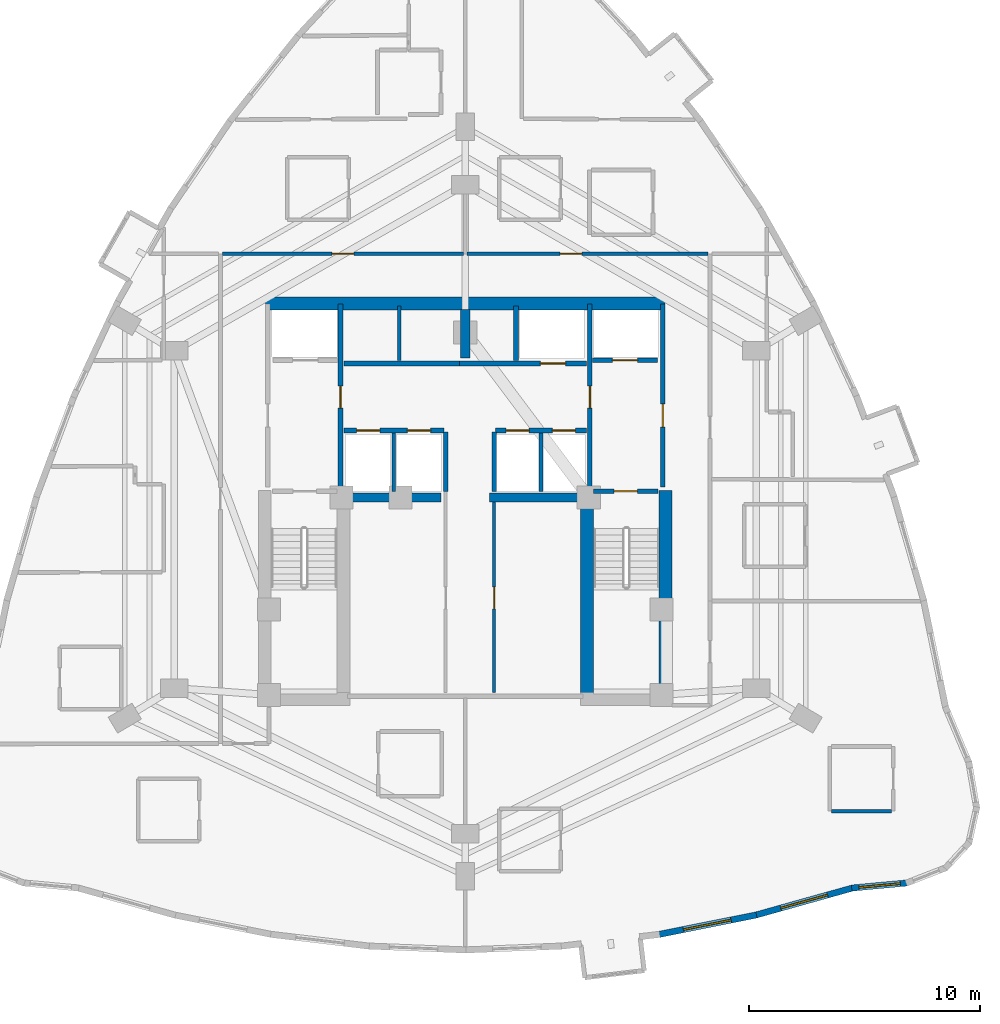
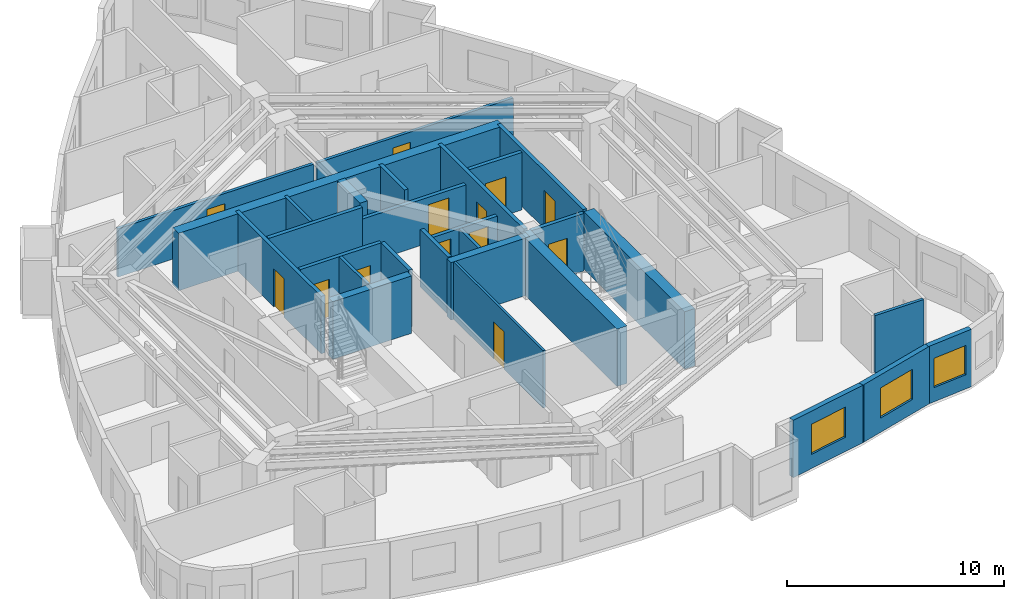
# One storey, part 8 of 12: 28 walls, 13 doors, 3 windows, 16 openings.
"""IFC4 building model written with IfcOpenShell, lengths in metres."""

from ifc_helpers import new_model, si_unit, direction, frame, frame_2d, origin, place, context, subcontext, project, spatial, rectangle, extrude, material, layer, layer_set, type_object, element, fill, save


model = new_model("IFC4")

# Units and contexts
model_context = context("Model", 3, precision=1e-05, world=origin(), true_north=direction((0.0, 1.0)))
body_context = subcontext(model_context, "Body", "Model", "MODEL_VIEW")
ifc_project = project(units=[si_unit("LENGTHUNIT", "METRE"), si_unit("AREAUNIT", "SQUARE_METRE"), si_unit("VOLUMEUNIT", "CUBIC_METRE"), si_unit("PLANEANGLEUNIT", "RADIAN"), si_unit("MASSUNIT", "GRAM", prefix="KILO")], contexts=[model_context])

# Site, building, storey
site_placement = place(None, origin())
site = spatial("IfcSite", under=ifc_project, at=site_placement, CompositionType="ELEMENT")
building_placement = place(site_placement, origin())
building = spatial("IfcBuilding", under=site, at=building_placement, Name="Miruveldt Soraemaru", CompositionType="ELEMENT")
storey_placement = place(building_placement, frame((0.0, 0.0, 110.89990234375)))
storey = spatial("IfcBuildingStorey", under=building, at=storey_placement, Name="L30", CompositionType="ELEMENT", Elevation=110.89990234375)

# Walls
ifc_material_1 = material(Name="Concrete C70/85 (70 MPa)", Category="concrete")
ifc_layer_1 = layer(ifc_material_1, 0.5, Name="Concrete C70/85 (70 MPa)", Category="concrete")
ifc_layer_set_1 = layer_set([ifc_layer_1], Name="Concrete C70/85 (70 MPa)")
wall_type_1 = type_object("IfcWallType", Name="WALL-BW-500", PredefinedType="SHEAR", material=ifc_layer_set_1)
wall_1_placement = place(storey_placement, frame((44.0, 50.10009765625, 0.0), z_axis=(0.0, 0.0, 1.0), x_axis=(0.0, 1.0, 0.0)))
element("IfcWall", 1, at=wall_1_placement, inside=storey, type_object=wall_type_1, Name="L30 Core Buttress Shear Wall BN", PredefinedType="SHEAR", context=body_context, shape_type="SweptSolid", body=[
    extrude(rectangle(XDim=2.099853515625, YDim=0.39990234375, at=frame_2d((1.0498046875, 0.0))), origin(), (0.0, 0.0, 1.0), 3.235107421875),
])
for number, where, z_axis, x_axis, name in (
    (2, (38.75, 44.050048828125, 0.0), (0.0, 0.0, 1.0), (1.0, 0.0, 0.0), "L30 Core Buttress Shear Wall BW"),
    (3, (45.050048828125, 44.050048828125, 0.0), (0.0, 0.0, 1.0), (1.0, 0.0, 0.0), "L30 Core Buttress Shear Wall BE"),
):
    element("IfcWall", number, at=place(storey_placement, frame(where, z_axis=z_axis, x_axis=x_axis)), inside=storey, type_object=wall_type_1, Name=name, PredefinedType="SHEAR", context=body_context, shape_type="SweptSolid", body=[
        extrude(rectangle(XDim=4.199951171875, YDim=0.39990234375, at=frame_2d((2.10009765625, 0.0))), origin(), (0.0, 0.0, 1.0), 3.235107421875),
    ])
ifc_layer_2 = layer(ifc_material_1, 0.550048828125, Name="Concrete C70/85 (70 MPa)", Category="concrete")
ifc_layer_set_2 = layer_set([ifc_layer_2], Name="Concrete C70/85 (70 MPa)")
wall_type_2 = type_object("IfcWallType", Name="WALL-CW-550", PredefinedType="SHEAR", material=ifc_layer_set_2)
wall_2_placement = place(storey_placement, frame((35.35009765625, 52.449951171875, 0.0), z_axis=(0.0, 0.0, 1.0), x_axis=(1.0, 0.0, 0.0)))
element("IfcWall", 4, at=wall_2_placement, inside=storey, type_object=wall_type_2, Name="L30 Central Core Shear Wall N", PredefinedType="SHEAR", context=body_context, shape_type="SweptSolid", body=[
    extrude(rectangle(XDim=17.2998046875, YDim=0.550048828125, at=frame_2d((8.64990234375, 0.0))), origin(), (0.0, 0.0, 1.0), 3.235107421875),
])
wall_3_placement = place(storey_placement, frame((52.675048828125, 35.050048828125, 0.0), z_axis=(0.0, 0.0, 1.0), x_axis=(0.0, 1.0, 0.0)))
element("IfcWall", 5, at=wall_3_placement, inside=storey, type_object=wall_type_2, Name="L30 Central Core Shear Wall E1", PredefinedType="SHEAR", context=body_context, shape_type="SweptSolid", body=[
    extrude(rectangle(XDim=9.300048828125, YDim=0.550048828125, at=frame_2d((4.64990234375, 0.0))), origin(), (0.0, 0.0, 1.0), 3.235107421875),
])
wall_4_placement = place(storey_placement, frame((49.27490234375, 35.39990234375, 0.0), z_axis=(0.0, 0.0, 1.0), x_axis=(0.0, 1.0, 0.0)))
element("IfcWall", 6, at=wall_4_placement, inside=storey, type_object=wall_type_2, Name="L30 Central Core Shear Wall SE-INT", PredefinedType="SHEAR", context=body_context, shape_type="SweptSolid", body=[
    extrude(rectangle(XDim=8.9501953125, YDim=0.550048828125, at=frame_2d((4.47509765625, 0.0))), origin(), (0.0, 0.0, 1.0), 3.235107421875),
])

# Wall, opening, window
ifc_material_2 = material(Name="Precast concrete C45/55 (45 MPa)", Category="concrete")
ifc_layer_3 = layer(ifc_material_2, 0.27001953125, Name="Precast concrete C45/55 (45 MPa)", Category="concrete")
ifc_layer_set_3 = layer_set([ifc_layer_3], Name="Precast concrete C45/55 (45 MPa)")
wall_type_3 = type_object("IfcWallType", Name="WALL-EXT-PC270", PredefinedType="SOLIDWALL", material=ifc_layer_set_3)
wall_5_placement = place(storey_placement, frame((52.3505859375, 25.12060546875, 0.0), z_axis=(0.0, 0.0, 1.0), x_axis=(0.98057635362, 0.196137744255, 0.0)))
wall_5 = element("IfcWall", 7, at=wall_5_placement, inside=storey, type_object=wall_type_3, Name="L30 Precast Concrete Facade Wall 27", PredefinedType="SOLIDWALL", context=body_context, shape_type="SweptSolid", body=[
    extrude(rectangle(XDim=4.345458984375, YDim=0.27001953125, at=frame_2d((2.1728515625, 0.0))), origin(), (0.0, 0.0, 1.0), 3.235107421875),
])
opening_1_placement = place(wall_5_placement, frame((1.1220703125, 0.0, 0.800048828125)))
opening_1 = element("IfcOpeningElement", 8, at=opening_1_placement, cuts=wall_5, Name="Opening WN-1", PredefinedType="OPENING", context=body_context, shape_type="SweptSolid", body=[
    extrude(rectangle(XDim=2.10009765625, YDim=1.699951171875, at=frame_2d((1.050048828125, 0.85009765625))), frame((0.0, 0.14501953125, 0.0), z_axis=(0.0, -1.0, 0.0), x_axis=(1.0, 0.0, 0.0)), (0.0, 0.0, 1.0), 0.2900390625),
])
ifc_material_3 = material(Name="Triple low-e insulated glazing", Category="glass")
window_type_1 = type_object("IfcWindowType", Name="WIN-PUNCH-2100x1700", PartitioningType="SINGLE_PANEL", PredefinedType="WINDOW", material=ifc_material_3)
window_1_placement = place(opening_1_placement, origin())
window_1 = element("IfcWindow", 9, at=window_1_placement, inside=storey, type_object=window_type_1, Name="L30 Punched Triple-Glazed Window 27.1", OverallHeight=1.699951171875, OverallWidth=2.10009765625, PartitioningType="SINGLE_PANEL", PredefinedType="WINDOW", context=body_context, shape_type="SweptSolid", body=[
    extrude(rectangle(XDim=2.10009765625, YDim=1.699951171875, at=frame_2d((1.050048828125, 0.85009765625))), frame((0.0, 0.030029296875, 0.0), z_axis=(0.0, -1.0, 0.0), x_axis=(1.0, 0.0, 0.0)), (0.0, 0.0, 1.0), 0.06005859375),
])
fill(opening_1, window_1)

wall_6_placement = place(storey_placement, frame((56.54345703125, 25.956787109375, 0.0), z_axis=(0.0, 0.0, 1.0), x_axis=(0.962970324639, 0.269607406916, 0.0)))
wall_6 = element("IfcWall", 10, at=wall_6_placement, inside=storey, type_object=wall_type_3, Name="L30 Precast Concrete Facade Wall 28", PredefinedType="SOLIDWALL", context=body_context, shape_type="SweptSolid", body=[
    extrude(rectangle(XDim=4.423583984375, YDim=0.27001953125, at=frame_2d((2.2119140625, 0.0))), origin(), (0.0, 0.0, 1.0), 3.235107421875),
])
opening_2_placement = place(wall_6_placement, frame((1.162109375, 0.0, 0.800048828125)))
opening_2 = element("IfcOpeningElement", 11, at=opening_2_placement, cuts=wall_6, Name="Opening WN-1", PredefinedType="OPENING", context=body_context, shape_type="SweptSolid", body=[
    extrude(rectangle(XDim=2.10009765625, YDim=1.699951171875, at=frame_2d((1.050048828125, 0.85009765625))), frame((0.0, 0.14501953125, 0.0), z_axis=(0.0, -1.0, 0.0), x_axis=(1.0, 0.0, 0.0)), (0.0, 0.0, 1.0), 0.2900390625),
])
window_2_placement = place(opening_2_placement, origin())
window_2 = element("IfcWindow", 12, at=window_2_placement, inside=storey, type_object=window_type_1, Name="L30 Punched Triple-Glazed Window 28.1", OverallHeight=1.699951171875, OverallWidth=2.10009765625, PartitioningType="SINGLE_PANEL", PredefinedType="WINDOW", context=body_context, shape_type="SweptSolid", body=[
    extrude(rectangle(XDim=2.10009765625, YDim=1.699951171875, at=frame_2d((1.050048828125, 0.85009765625))), frame((0.0, 0.030029296875, 0.0), z_axis=(0.0, -1.0, 0.0), x_axis=(1.0, 0.0, 0.0)), (0.0, 0.0, 1.0), 0.06005859375),
])
fill(opening_2, window_2)

wall_7_placement = place(storey_placement, frame((60.734619140625, 27.13671875, 0.0), z_axis=(0.0, 0.0, 1.0), x_axis=(0.995757206461, 0.092019485874, 0.0)))
wall_7 = element("IfcWall", 13, at=wall_7_placement, inside=storey, type_object=wall_type_3, Name="L30 Precast Concrete Facade Wall 29", PredefinedType="SOLIDWALL", context=body_context, shape_type="SweptSolid", body=[
    extrude(rectangle(XDim=2.432861328125, YDim=0.27001953125, at=frame_2d((1.21630859375, 0.0))), origin(), (0.0, 0.0, 1.0), 3.235107421875),
])
opening_3_placement = place(wall_7_placement, frame((0.31689453125, 0.0, 0.800048828125)))
opening_3 = element("IfcOpeningElement", 14, at=opening_3_placement, cuts=wall_7, Name="Opening WN-2", PredefinedType="OPENING", context=body_context, shape_type="SweptSolid", body=[
    extrude(rectangle(XDim=1.800048828125, YDim=1.64990234375, at=frame_2d((0.89990234375, 0.824951171875))), frame((0.0, 0.14501953125, 0.0), z_axis=(0.0, -1.0, 0.0), x_axis=(1.0, 0.0, 0.0)), (0.0, 0.0, 1.0), 0.2900390625),
])
window_type_2 = type_object("IfcWindowType", Name="WIN-PUNCH-1800x1650", PartitioningType="SINGLE_PANEL", PredefinedType="WINDOW", material=ifc_material_3)
window_3_placement = place(opening_3_placement, origin())
window_3 = element("IfcWindow", 15, at=window_3_placement, inside=storey, type_object=window_type_2, Name="L30 Punched Triple-Glazed Window 29.1", OverallHeight=1.64990234375, OverallWidth=1.800048828125, PartitioningType="SINGLE_PANEL", PredefinedType="WINDOW", context=body_context, shape_type="SweptSolid", body=[
    extrude(rectangle(XDim=1.800048828125, YDim=1.64990234375, at=frame_2d((0.89990234375, 0.824951171875))), frame((0.0, 0.030029296875, 0.0), z_axis=(0.0, -1.0, 0.0), x_axis=(1.0, 0.0, 0.0)), (0.0, 0.0, 1.0), 0.06005859375),
])
fill(opening_3, window_3)

# Wall, opening, door
ifc_material_4 = material(Name="Gypsum plasterboard lining", Category="gypsum")
ifc_layer_4 = layer(ifc_material_4, 0.1201171875, Name="Gypsum plasterboard lining", Category="gypsum")
ifc_layer_set_4 = layer_set([ifc_layer_4], Name="Gypsum plasterboard lining")
wall_type_4 = type_object("IfcWallType", Name="WALL-INT-P120", PredefinedType="PARTITIONING", material=ifc_layer_set_4)
wall_8_placement = place(storey_placement, frame((45.25, 35.60009765625, 0.0), z_axis=(0.0, 0.0, 1.0), x_axis=(0.0, 1.0, 0.0)))
wall_8 = element("IfcWall", 16, at=wall_8_placement, inside=storey, type_object=wall_type_4, Name="L30 Core Compartment Wall SP-EL", PredefinedType="PARTITIONING", context=body_context, shape_type="SweptSolid", body=[
    extrude(rectangle(XDim=8.25, YDim=0.1201171875, at=frame_2d((4.125, 0.0))), origin(), (0.0, 0.0, 1.0), 3.235107421875),
])
opening_4_placement = place(wall_8_placement, frame((3.625, 0.0, 0.0)))
opening_4 = element("IfcOpeningElement", 17, at=opening_4_placement, cuts=wall_8, Name="Opening D2", PredefinedType="OPENING", context=body_context, shape_type="SweptSolid", body=[
    extrude(rectangle(XDim=0.949951171875, YDim=2.10009765625, at=frame_2d((0.47509765625, 1.050048828125))), frame((0.0, 0.070068359375, 0.0), z_axis=(0.0, -1.0, 0.0), x_axis=(1.0, 0.0, 0.0)), (0.0, 0.0, 1.0), 0.14013671875),
])
ifc_material_5 = material(Name="Anodised aluminium EN AW-6063 T6", Category="aluminium")
door_type_1 = type_object("IfcDoorType", Name="DOOR-INT-950", OperationType="NOTDEFINED", PredefinedType="DOOR", material=ifc_material_5)
door_1_placement = place(opening_4_placement, origin())
door_1 = element("IfcDoor", 18, at=door_1_placement, inside=storey, type_object=door_type_1, Name="L30 Fire Door", OperationType="SINGLE_SWING_LEFT", OverallHeight=2.10009765625, OverallWidth=0.949951171875, PredefinedType="DOOR", context=body_context, shape_type="SweptSolid", body=[
    extrude(rectangle(XDim=0.949951171875, YDim=2.10009765625, at=frame_2d((0.47509765625, 1.050048828125))), frame((0.0, 0.02490234375, 0.0), z_axis=(0.0, -1.0, 0.0), x_axis=(1.0, 0.0, 0.0)), (0.0, 0.0, 1.0), 0.050048828125),
])
fill(opening_4, door_1)

ifc_material_6 = material(Name="Concrete C40/50 (40 MPa)", Category="concrete")
ifc_layer_5 = layer(ifc_material_6, 0.159912109375, Name="Concrete C40/50 (40 MPa)", Category="concrete")
ifc_layer_set_5 = layer_set([ifc_layer_5], Name="Concrete C40/50 (40 MPa)")
wall_type_5 = type_object("IfcWallType", Name="WALL-INT-RC160", PredefinedType="SOLIDWALL", material=ifc_layer_set_5)
wall_9_placement = place(storey_placement, frame((43.919921875, 54.60009765625, 0.0), z_axis=(0.0, 0.0, 1.0), x_axis=(-1.0, 0.0, 0.0)))
wall_9 = element("IfcWall", 19, at=wall_9_placement, inside=storey, type_object=wall_type_5, Name="L30 Partition Wall 1", PredefinedType="SOLIDWALL", context=body_context, shape_type="SweptSolid", body=[
    extrude(rectangle(XDim=10.43994140625, YDim=0.159912109375, at=frame_2d((5.219970703125, 0.0))), origin(), (0.0, 0.0, 1.0), 2.72314453125),
])
opening_5_placement = place(wall_9_placement, frame((4.7451171875, 0.0, 0.0)))
opening_5 = element("IfcOpeningElement", 20, at=opening_5_placement, cuts=wall_9, Name="Opening FD2", PredefinedType="OPENING", context=body_context, shape_type="SweptSolid", body=[
    extrude(rectangle(XDim=0.949951171875, YDim=2.14990234375, at=frame_2d((0.47509765625, 1.074951171875))), frame((0.0, 0.08984375, 0.0), z_axis=(0.0, -1.0, 0.0), x_axis=(1.0, 0.0, 0.0)), (0.0, 0.0, 1.0), 0.179931640625),
])
door_type_2 = type_object("IfcDoorType", Name="DOOR-FD2-950", OperationType="NOTDEFINED", PredefinedType="DOOR", material=ifc_material_5)
door_2_placement = place(opening_5_placement, origin())
door_2 = element("IfcDoor", 21, at=door_2_placement, inside=storey, type_object=door_type_2, Name="L30 Unit 3001 Entrance Fire Door", OperationType="SINGLE_SWING_LEFT", OverallHeight=2.14990234375, OverallWidth=0.949951171875, PredefinedType="DOOR", context=body_context, shape_type="SweptSolid", body=[
    extrude(rectangle(XDim=0.949951171875, YDim=2.14990234375, at=frame_2d((0.47509765625, 1.074951171875))), frame((0.0, 0.02490234375, 0.0), z_axis=(0.0, -1.0, 0.0), x_axis=(1.0, 0.0, 0.0)), (0.0, 0.0, 1.0), 0.050048828125),
])
fill(opening_5, door_2)

wall_10_placement = place(storey_placement, frame((54.52001953125, 54.60009765625, 0.0), z_axis=(0.0, 0.0, 1.0), x_axis=(-1.0, 0.0, 0.0)))
wall_10 = element("IfcWall", 22, at=wall_10_placement, inside=storey, type_object=wall_type_5, Name="L30 Partition Wall 2", PredefinedType="SOLIDWALL", context=body_context, shape_type="SweptSolid", body=[
    extrude(rectangle(XDim=10.43994140625, YDim=0.159912109375, at=frame_2d((5.219970703125, 0.0))), origin(), (0.0, 0.0, 1.0), 2.72314453125),
])
opening_6_placement = place(wall_10_placement, frame((5.465087890625, 0.0, 0.0)))
opening_6 = element("IfcOpeningElement", 23, at=opening_6_placement, cuts=wall_10, Name="Opening FD2", PredefinedType="OPENING", context=body_context, shape_type="SweptSolid", body=[
    extrude(rectangle(XDim=0.949951171875, YDim=2.14990234375, at=frame_2d((0.47509765625, 1.074951171875))), frame((0.0, 0.08984375, 0.0), z_axis=(0.0, -1.0, 0.0), x_axis=(1.0, 0.0, 0.0)), (0.0, 0.0, 1.0), 0.179931640625),
])
door_3_placement = place(opening_6_placement, origin())
door_3 = element("IfcDoor", 24, at=door_3_placement, inside=storey, type_object=door_type_2, Name="L30 Unit 3002 Entrance Fire Door", OperationType="SINGLE_SWING_RIGHT", OverallHeight=2.14990234375, OverallWidth=0.949951171875, PredefinedType="DOOR", context=body_context, shape_type="SweptSolid", body=[
    extrude(rectangle(XDim=0.949951171875, YDim=2.14990234375, at=frame_2d((0.47509765625, 1.074951171875))), frame((0.0, 0.02490234375, 0.0), z_axis=(0.0, -1.0, 0.0), x_axis=(1.0, 0.0, 0.0)), (0.0, 0.0, 1.0), 0.050048828125),
])
fill(opening_6, door_3)

# Walls
wall_11_placement = place(storey_placement, frame((59.860107421875, 30.468994140625, 0.0), z_axis=(0.0, 0.0, 1.0), x_axis=(1.0, 0.0, 0.0)))
element("IfcWall", 25, at=wall_11_placement, inside=storey, type_object=wall_type_5, Name="L30 Partition Wall 56", PredefinedType="SOLIDWALL", context=body_context, shape_type="SweptSolid", body=[
    extrude(rectangle(XDim=2.58984375, YDim=0.159912109375, at=frame_2d((1.294921875, 0.0))), origin(), (0.0, 0.0, 1.0), 3.235107421875),
])
wall_12_placement = place(storey_placement, frame((40.89990234375, 44.300048828125, 0.0), z_axis=(0.0, 0.0, 1.0), x_axis=(0.0, 1.0, 0.0)))
element("IfcWall", 26, at=wall_12_placement, inside=storey, type_object=wall_type_5, Name="L30 Core Compartment Wall PLM-DW", PredefinedType="SOLIDWALL", context=body_context, shape_type="SweptSolid", body=[
    extrude(rectangle(XDim=2.550048828125, YDim=0.159912109375, at=frame_2d((1.27490234375, 0.0))), origin(), (0.0, 0.0, 1.0), 3.235107421875),
])
wall_13_placement = place(storey_placement, frame((47.280029296875, 44.300048828125, 0.0), z_axis=(0.0, 0.0, 1.0), x_axis=(0.0, 1.0, 0.0)))
element("IfcWall", 27, at=wall_13_placement, inside=storey, type_object=wall_type_5, Name="L30 Core Compartment Wall PLM-DE", PredefinedType="SOLIDWALL", context=body_context, shape_type="SweptSolid", body=[
    extrude(rectangle(XDim=2.550048828125, YDim=0.159912109375, at=frame_2d((1.27490234375, 0.0))), origin(), (0.0, 0.0, 1.0), 2.572998046875),
])
wall_14_placement = place(storey_placement, frame((41.14990234375, 49.97998046875, 0.0), z_axis=(0.0, 0.0, 1.0), x_axis=(0.0, 1.0, 0.0)))
element("IfcWall", 28, at=wall_14_placement, inside=storey, type_object=wall_type_5, Name="L30 Core Compartment Wall PLH-DIV1", PredefinedType="SOLIDWALL", context=body_context, shape_type="SweptSolid", body=[
    extrude(rectangle(XDim=2.3701171875, YDim=0.159912109375, at=frame_2d((1.18505859375, 0.0))), origin(), (0.0, 0.0, 1.0), 3.235107421875),
])

# Wall, opening, door
ifc_layer_6 = layer(ifc_material_6, 0.199951171875, Name="Concrete C40/50 (40 MPa)", Category="concrete")
ifc_layer_set_6 = layer_set([ifc_layer_6], Name="Concrete C40/50 (40 MPa)")
wall_type_6 = type_object("IfcWallType", Name="WALL-INT-RC200", PredefinedType="SOLIDWALL", material=ifc_layer_set_6)
wall_15_placement = place(storey_placement, frame((52.550048828125, 44.5, 0.0), z_axis=(0.0, 0.0, 1.0), x_axis=(0.0, 1.0, 0.0)))
wall_15 = element("IfcWall", 29, at=wall_15_placement, inside=storey, type_object=wall_type_6, Name="L30 Core Compartment Wall FFE-OUT", PredefinedType="SOLIDWALL", context=body_context, shape_type="SweptSolid", body=[
    extrude(rectangle(XDim=7.919921875, YDim=0.199951171875, at=frame_2d((3.9599609375, 0.0))), origin(), (0.0, 0.0, 1.0), 3.235107421875),
])
opening_7_placement = place(wall_15_placement, frame((2.60009765625, 0.0, 0.0)))
opening_7 = element("IfcOpeningElement", 30, at=opening_7_placement, cuts=wall_15, Name="Opening FD1", PredefinedType="OPENING", context=body_context, shape_type="SweptSolid", body=[
    extrude(rectangle(XDim=1.0, YDim=2.14990234375, at=frame_2d((0.5, 1.074951171875))), frame((0.0, 0.10986328125, 0.0), z_axis=(0.0, -1.0, 0.0), x_axis=(1.0, 0.0, 0.0)), (0.0, 0.0, 1.0), 0.219970703125),
])
door_type_3 = type_object("IfcDoorType", Name="DOOR-FD1-1000", OperationType="NOTDEFINED", PredefinedType="DOOR", material=ifc_material_5)
door_4_placement = place(opening_7_placement, frame((1.0, 0.0, 0.0), z_axis=(0.0, 0.0, 1.0), x_axis=(-1.0, 0.0, 0.0)))
door_4 = element("IfcDoor", 31, at=door_4_placement, inside=storey, type_object=door_type_3, Name="L30 East Firefighting Lobby Exit Door", OperationType="SINGLE_SWING_RIGHT", OverallHeight=2.14990234375, OverallWidth=1.0, PredefinedType="DOOR", context=body_context, shape_type="SweptSolid", body=[
    extrude(rectangle(XDim=1.0, YDim=2.14990234375, at=frame_2d((0.5, 1.074951171875))), frame((0.0, 0.02490234375, 0.0), z_axis=(0.0, -1.0, 0.0), x_axis=(1.0, 0.0, 0.0)), (0.0, 0.0, 1.0), 0.050048828125),
])
fill(opening_7, door_4)

wall_16_placement = place(storey_placement, frame((38.60009765625, 44.5, 0.0), z_axis=(0.0, 0.0, 1.0), x_axis=(0.0, 1.0, 0.0)))
wall_16 = element("IfcWall", 32, at=wall_16_placement, inside=storey, type_object=wall_type_6, Name="L30 Core Compartment Wall FFW-IN", PredefinedType="SOLIDWALL", context=body_context, shape_type="SweptSolid", body=[
    extrude(rectangle(XDim=7.919921875, YDim=0.199951171875, at=frame_2d((3.9599609375, 0.0))), origin(), (0.0, 0.0, 1.0), 3.235107421875),
])
opening_8_placement = place(wall_16_placement, frame((3.425048828125, 0.0, 0.0)))
opening_8 = element("IfcOpeningElement", 33, at=opening_8_placement, cuts=wall_16, Name="Opening FD2", PredefinedType="OPENING", context=body_context, shape_type="SweptSolid", body=[
    extrude(rectangle(XDim=0.949951171875, YDim=2.14990234375, at=frame_2d((0.47509765625, 1.074951171875))), frame((0.0, 0.10986328125, 0.0), z_axis=(0.0, -1.0, 0.0), x_axis=(1.0, 0.0, 0.0)), (0.0, 0.0, 1.0), 0.219970703125),
])
door_5_placement = place(opening_8_placement, frame((0.949951171875, 0.0, 0.0), z_axis=(0.0, 0.0, 1.0), x_axis=(-1.0, 0.0, 0.0)))
door_5 = element("IfcDoor", 34, at=door_5_placement, inside=storey, type_object=door_type_2, Name="L30 Lift Lobby to West Fire Lobby Door", OperationType="SINGLE_SWING_RIGHT", OverallHeight=2.14990234375, OverallWidth=0.949951171875, PredefinedType="DOOR", context=body_context, shape_type="SweptSolid", body=[
    extrude(rectangle(XDim=0.949951171875, YDim=2.14990234375, at=frame_2d((0.47509765625, 1.074951171875))), frame((0.0, 0.02490234375, 0.0), z_axis=(0.0, -1.0, 0.0), x_axis=(1.0, 0.0, 0.0)), (0.0, 0.0, 1.0), 0.050048828125),
])
fill(opening_8, door_5)

wall_17_placement = place(storey_placement, frame((49.39990234375, 44.5, 0.0), z_axis=(0.0, 0.0, 1.0), x_axis=(0.0, 1.0, 0.0)))
wall_17 = element("IfcWall", 35, at=wall_17_placement, inside=storey, type_object=wall_type_6, Name="L30 Core Compartment Wall FFE-IN", PredefinedType="SOLIDWALL", context=body_context, shape_type="SweptSolid", body=[
    extrude(rectangle(XDim=7.919921875, YDim=0.199951171875, at=frame_2d((3.9599609375, 0.0))), origin(), (0.0, 0.0, 1.0), 3.235107421875),
])
opening_9_placement = place(wall_17_placement, frame((3.425048828125, 0.0, 0.0)))
opening_9 = element("IfcOpeningElement", 36, at=opening_9_placement, cuts=wall_17, Name="Opening FD2", PredefinedType="OPENING", context=body_context, shape_type="SweptSolid", body=[
    extrude(rectangle(XDim=0.949951171875, YDim=2.14990234375, at=frame_2d((0.47509765625, 1.074951171875))), frame((0.0, 0.10986328125, 0.0), z_axis=(0.0, -1.0, 0.0), x_axis=(1.0, 0.0, 0.0)), (0.0, 0.0, 1.0), 0.219970703125),
])
door_6_placement = place(opening_9_placement, origin())
door_6 = element("IfcDoor", 37, at=door_6_placement, inside=storey, type_object=door_type_2, Name="L30 Lift Lobby to East Fire Lobby Door", OperationType="SINGLE_SWING_LEFT", OverallHeight=2.14990234375, OverallWidth=0.949951171875, PredefinedType="DOOR", context=body_context, shape_type="SweptSolid", body=[
    extrude(rectangle(XDim=0.949951171875, YDim=2.14990234375, at=frame_2d((0.47509765625, 1.074951171875))), frame((0.0, 0.02490234375, 0.0), z_axis=(0.0, -1.0, 0.0), x_axis=(1.0, 0.0, 0.0)), (0.0, 0.0, 1.0), 0.050048828125),
])
fill(opening_9, door_6)

wall_18_placement = place(storey_placement, frame((43.75, 49.85009765625, 0.0), z_axis=(0.0, 0.0, 1.0), x_axis=(1.0, 0.0, 0.0)))
wall_18 = element("IfcWall", 38, at=wall_18_placement, inside=storey, type_object=wall_type_6, Name="L30 Core Compartment Wall ROWA-SE", PredefinedType="SOLIDWALL", context=body_context, shape_type="SweptSolid", body=[
    extrude(rectangle(XDim=5.5, YDim=0.199951171875, at=frame_2d((2.75, 0.0))), origin(), (0.0, 0.0, 1.0), 2.572998046875),
])
opening_10_placement = place(wall_18_placement, frame((3.5, 0.0, 0.0)))
opening_10 = element("IfcOpeningElement", 39, at=opening_10_placement, cuts=wall_18, Name="Opening LD2", PredefinedType="OPENING", context=body_context, shape_type="SweptSolid", body=[
    extrude(rectangle(XDim=1.10009765625, YDim=2.14990234375, at=frame_2d((0.550048828125, 1.074951171875))), frame((0.0, 0.10986328125, 0.0), z_axis=(0.0, -1.0, 0.0), x_axis=(1.0, 0.0, 0.0)), (0.0, 0.0, 1.0), 0.219970703125),
])
door_type_4 = type_object("IfcDoorType", Name="DOOR-LD2-1100", OperationType="SLIDING_TO_LEFT", PredefinedType="DOOR", material=ifc_material_5)
door_7_placement = place(opening_10_placement, origin())
door_7 = element("IfcDoor", 40, at=door_7_placement, inside=storey, type_object=door_type_4, Name="L30 SL-1 Landing Door", OperationType="SLIDING_TO_LEFT", OverallHeight=2.14990234375, OverallWidth=1.10009765625, PredefinedType="DOOR", context=body_context, shape_type="SweptSolid", body=[
    extrude(rectangle(XDim=1.10009765625, YDim=2.14990234375, at=frame_2d((0.550048828125, 1.074951171875))), frame((0.0, 0.02490234375, 0.0), z_axis=(0.0, -1.0, 0.0), x_axis=(1.0, 0.0, 0.0)), (0.0, 0.0, 1.0), 0.050048828125),
])
fill(opening_10, door_7)

# Wall, openings, doors
wall_19_placement = place(storey_placement, frame((38.75, 46.949951171875, 0.0), z_axis=(0.0, 0.0, 1.0), x_axis=(1.0, 0.0, 0.0)))
wall_19 = element("IfcWall", 41, at=wall_19_placement, inside=storey, type_object=wall_type_6, Name="L30 Core Compartment Wall MBW-N", PredefinedType="SOLIDWALL", context=body_context, shape_type="SweptSolid", body=[
    extrude(rectangle(XDim=4.330078125, YDim=0.199951171875, at=frame_2d((2.1650390625, 0.0))), origin(), (0.0, 0.0, 1.0), 3.235107421875),
])
opening_11_placement = place(wall_19_placement, frame((0.550048828125, 0.0, 0.0)))
opening_11 = element("IfcOpeningElement", 42, at=opening_11_placement, cuts=wall_19, Name="Opening LD1B", PredefinedType="OPENING", context=body_context, shape_type="SweptSolid", body=[
    extrude(rectangle(XDim=1.0, YDim=2.14990234375, at=frame_2d((0.5, 1.074951171875))), frame((0.0, 0.10986328125, 0.0), z_axis=(0.0, -1.0, 0.0), x_axis=(1.0, 0.0, 0.0)), (0.0, 0.0, 1.0), 0.219970703125),
])
opening_12_placement = place(wall_19_placement, frame((2.75, 0.0, 0.0)))
opening_12 = element("IfcOpeningElement", 43, at=opening_12_placement, cuts=wall_19, Name="Opening LD1B", PredefinedType="OPENING", context=body_context, shape_type="SweptSolid", body=[
    extrude(rectangle(XDim=1.0, YDim=2.14990234375, at=frame_2d((0.5, 1.074951171875))), frame((0.0, 0.10986328125, 0.0), z_axis=(0.0, -1.0, 0.0), x_axis=(1.0, 0.0, 0.0)), (0.0, 0.0, 1.0), 0.219970703125),
])
door_type_5 = type_object("IfcDoorType", Name="DOOR-LD1-1000", OperationType="SLIDING_TO_LEFT", PredefinedType="DOOR", material=ifc_material_5)
door_8_placement = place(opening_11_placement, origin())
door_8 = element("IfcDoor", 44, at=door_8_placement, inside=storey, type_object=door_type_5, Name="L30 PL-M1 Landing Door", OperationType="SLIDING_TO_LEFT", OverallHeight=2.14990234375, OverallWidth=1.0, PredefinedType="DOOR", context=body_context, shape_type="SweptSolid", body=[
    extrude(rectangle(XDim=1.0, YDim=2.14990234375, at=frame_2d((0.5, 1.074951171875))), frame((0.0, 0.02490234375, 0.0), z_axis=(0.0, -1.0, 0.0), x_axis=(1.0, 0.0, 0.0)), (0.0, 0.0, 1.0), 0.050048828125),
])
fill(opening_11, door_8)
door_9_placement = place(opening_12_placement, origin())
door_9 = element("IfcDoor", 45, at=door_9_placement, inside=storey, type_object=door_type_5, Name="L30 PL-M2 Landing Door", OperationType="SLIDING_TO_LEFT", OverallHeight=2.14990234375, OverallWidth=1.0, PredefinedType="DOOR", context=body_context, shape_type="SweptSolid", body=[
    extrude(rectangle(XDim=1.0, YDim=2.14990234375, at=frame_2d((0.5, 1.074951171875))), frame((0.0, 0.02490234375, 0.0), z_axis=(0.0, -1.0, 0.0), x_axis=(1.0, 0.0, 0.0)), (0.0, 0.0, 1.0), 0.050048828125),
])
fill(opening_12, door_9)

wall_20_placement = place(storey_placement, frame((45.320068359375, 46.949951171875, 0.0), z_axis=(0.0, 0.0, 1.0), x_axis=(1.0, 0.0, 0.0)))
wall_20 = element("IfcWall", 46, at=wall_20_placement, inside=storey, type_object=wall_type_6, Name="L30 Core Compartment Wall MBE-N", PredefinedType="SOLIDWALL", context=body_context, shape_type="SweptSolid", body=[
    extrude(rectangle(XDim=3.929931640625, YDim=0.199951171875, at=frame_2d((1.96484375, 0.0))), origin(), (0.0, 0.0, 1.0), 2.572998046875),
])
opening_13_placement = place(wall_20_placement, frame((0.449951171875, 0.0, 0.0)))
opening_13 = element("IfcOpeningElement", 47, at=opening_13_placement, cuts=wall_20, Name="Opening LD1B", PredefinedType="OPENING", context=body_context, shape_type="SweptSolid", body=[
    extrude(rectangle(XDim=1.0, YDim=2.14990234375, at=frame_2d((0.5, 1.074951171875))), frame((0.0, 0.10986328125, 0.0), z_axis=(0.0, -1.0, 0.0), x_axis=(1.0, 0.0, 0.0)), (0.0, 0.0, 1.0), 0.219970703125),
])
opening_14_placement = place(wall_20_placement, frame((2.449951171875, 0.0, 0.0)))
opening_14 = element("IfcOpeningElement", 48, at=opening_14_placement, cuts=wall_20, Name="Opening LD1B", PredefinedType="OPENING", context=body_context, shape_type="SweptSolid", body=[
    extrude(rectangle(XDim=1.0, YDim=2.14990234375, at=frame_2d((0.5, 1.074951171875))), frame((0.0, 0.10986328125, 0.0), z_axis=(0.0, -1.0, 0.0), x_axis=(1.0, 0.0, 0.0)), (0.0, 0.0, 1.0), 0.219970703125),
])
door_10_placement = place(opening_13_placement, origin())
door_10 = element("IfcDoor", 49, at=door_10_placement, inside=storey, type_object=door_type_5, Name="L30 PL-M3 Landing Door", OperationType="SLIDING_TO_LEFT", OverallHeight=2.14990234375, OverallWidth=1.0, PredefinedType="DOOR", context=body_context, shape_type="SweptSolid", body=[
    extrude(rectangle(XDim=1.0, YDim=2.14990234375, at=frame_2d((0.5, 1.074951171875))), frame((0.0, 0.02490234375, 0.0), z_axis=(0.0, -1.0, 0.0), x_axis=(1.0, 0.0, 0.0)), (0.0, 0.0, 1.0), 0.050048828125),
])
fill(opening_13, door_10)
door_11_placement = place(opening_14_placement, origin())
door_11 = element("IfcDoor", 50, at=door_11_placement, inside=storey, type_object=door_type_5, Name="L30 PL-M4 Landing Door", OperationType="SLIDING_TO_LEFT", OverallHeight=2.14990234375, OverallWidth=1.0, PredefinedType="DOOR", context=body_context, shape_type="SweptSolid", body=[
    extrude(rectangle(XDim=1.0, YDim=2.14990234375, at=frame_2d((0.5, 1.074951171875))), frame((0.0, 0.02490234375, 0.0), z_axis=(0.0, -1.0, 0.0), x_axis=(1.0, 0.0, 0.0)), (0.0, 0.0, 1.0), 0.050048828125),
])
fill(opening_14, door_11)

# Wall, opening, door
wall_21_placement = place(storey_placement, frame((49.550048828125, 44.320068359375, 0.0), z_axis=(0.0, 0.0, 1.0), x_axis=(1.0, 0.0, 0.0)))
wall_21 = element("IfcWall", 51, at=wall_21_placement, inside=storey, type_object=wall_type_6, Name="L30 Core Compartment Wall ST2-N", PredefinedType="SOLIDWALL", context=body_context, shape_type="SweptSolid", body=[
    extrude(rectangle(XDim=2.800048828125, YDim=0.199951171875, at=frame_2d((1.39990234375, 0.0))), origin(), (0.0, 0.0, 1.0), 3.235107421875),
])
opening_15_placement = place(wall_21_placement, frame((0.89990234375, 0.0, 0.0)))
opening_15 = element("IfcOpeningElement", 52, at=opening_15_placement, cuts=wall_21, Name="Opening FD1", PredefinedType="OPENING", context=body_context, shape_type="SweptSolid", body=[
    extrude(rectangle(XDim=1.0, YDim=2.14990234375, at=frame_2d((0.5, 1.074951171875))), frame((0.0, 0.10986328125, 0.0), z_axis=(0.0, -1.0, 0.0), x_axis=(1.0, 0.0, 0.0)), (0.0, 0.0, 1.0), 0.219970703125),
])
door_12_placement = place(opening_15_placement, frame((1.0, 0.0, 0.0), z_axis=(0.0, 0.0, 1.0), x_axis=(-1.0, 0.0, 0.0)))
door_12 = element("IfcDoor", 53, at=door_12_placement, inside=storey, type_object=door_type_3, Name="L30 Stair ST-2 Fire Door", OperationType="SINGLE_SWING_RIGHT", OverallHeight=2.14990234375, OverallWidth=1.0, PredefinedType="DOOR", context=body_context, shape_type="SweptSolid", body=[
    extrude(rectangle(XDim=1.0, YDim=2.14990234375, at=frame_2d((0.5, 1.074951171875))), frame((0.0, 0.02490234375, 0.0), z_axis=(0.0, -1.0, 0.0), x_axis=(1.0, 0.0, 0.0)), (0.0, 0.0, 1.0), 0.050048828125),
])
fill(opening_15, door_12)

wall_22_placement = place(storey_placement, frame((49.52001953125, 50.0, 0.0), z_axis=(0.0, 0.0, 1.0), x_axis=(1.0, 0.0, 0.0)))
wall_22 = element("IfcWall", 54, at=wall_22_placement, inside=storey, type_object=wall_type_6, Name="L30 Core Compartment Wall FFL2-S", PredefinedType="SOLIDWALL", context=body_context, shape_type="SweptSolid", body=[
    extrude(rectangle(XDim=2.800048828125, YDim=0.199951171875, at=frame_2d((1.39990234375, 0.0))), origin(), (0.0, 0.0, 1.0), 3.235107421875),
])
opening_16_placement = place(wall_22_placement, frame((0.85009765625, 0.0, 0.0)))
opening_16 = element("IfcOpeningElement", 55, at=opening_16_placement, cuts=wall_22, Name="Opening LD2", PredefinedType="OPENING", context=body_context, shape_type="SweptSolid", body=[
    extrude(rectangle(XDim=1.10009765625, YDim=2.14990234375, at=frame_2d((0.550048828125, 1.074951171875))), frame((0.0, 0.10986328125, 0.0), z_axis=(0.0, -1.0, 0.0), x_axis=(1.0, 0.0, 0.0)), (0.0, 0.0, 1.0), 0.219970703125),
])
door_13_placement = place(opening_16_placement, origin())
door_13 = element("IfcDoor", 56, at=door_13_placement, inside=storey, type_object=door_type_4, Name="L30 FFL-2 Landing Door", OperationType="SLIDING_TO_LEFT", OverallHeight=2.14990234375, OverallWidth=1.10009765625, PredefinedType="DOOR", context=body_context, shape_type="SweptSolid", body=[
    extrude(rectangle(XDim=1.10009765625, YDim=2.14990234375, at=frame_2d((0.550048828125, 1.074951171875))), frame((0.0, 0.02490234375, 0.0), z_axis=(0.0, -1.0, 0.0), x_axis=(1.0, 0.0, 0.0)), (0.0, 0.0, 1.0), 0.050048828125),
])
fill(opening_16, door_13)

# Walls
wall_23_placement = place(storey_placement, frame((38.75, 49.85009765625, 0.0), z_axis=(0.0, 0.0, 1.0), x_axis=(1.0, 0.0, 0.0)))
element("IfcWall", 57, at=wall_23_placement, inside=storey, type_object=wall_type_6, Name="L30 Core Compartment Wall ROWA-SW", PredefinedType="SOLIDWALL", context=body_context, shape_type="SweptSolid", body=[
    extrude(rectangle(XDim=5.0, YDim=0.199951171875, at=frame_2d((2.5, 0.0))), origin(), (0.0, 0.0, 1.0), 3.235107421875),
])
for number, where, z_axis, x_axis, name in (
    (58, (43.14990234375, 44.300048828125, 0.0), (0.0, 0.0, 1.0), (0.0, 1.0, 0.0), "L30 Core Compartment Wall SP-WB"),
    (59, (45.25, 44.300048828125, 0.0), (0.0, 0.0, 1.0), (0.0, 1.0, 0.0), "L30 Core Compartment Wall SP-EB"),
):
    element("IfcWall", number, at=place(storey_placement, frame(where, z_axis=z_axis, x_axis=x_axis)), inside=storey, type_object=wall_type_6, Name=name, PredefinedType="SOLIDWALL", context=body_context, shape_type="SweptSolid", body=[
        extrude(rectangle(XDim=2.579833984375, YDim=0.199951171875, at=frame_2d((1.2900390625, 0.0))), origin(), (0.0, 0.0, 1.0), 3.235107421875),
    ])
wall_24_placement = place(storey_placement, frame((46.199951171875, 49.97998046875, 0.0), z_axis=(0.0, 0.0, 1.0), x_axis=(0.0, 1.0, 0.0)))
element("IfcWall", 60, at=wall_24_placement, inside=storey, type_object=wall_type_6, Name="L30 Core Compartment Wall PLH-SL-DIV", PredefinedType="SOLIDWALL", context=body_context, shape_type="SweptSolid", body=[
    extrude(rectangle(XDim=2.3701171875, YDim=0.199951171875, at=frame_2d((1.18505859375, 0.0))), origin(), (0.0, 0.0, 1.0), 3.235107421875),
])

save(model, "model.ifc")
